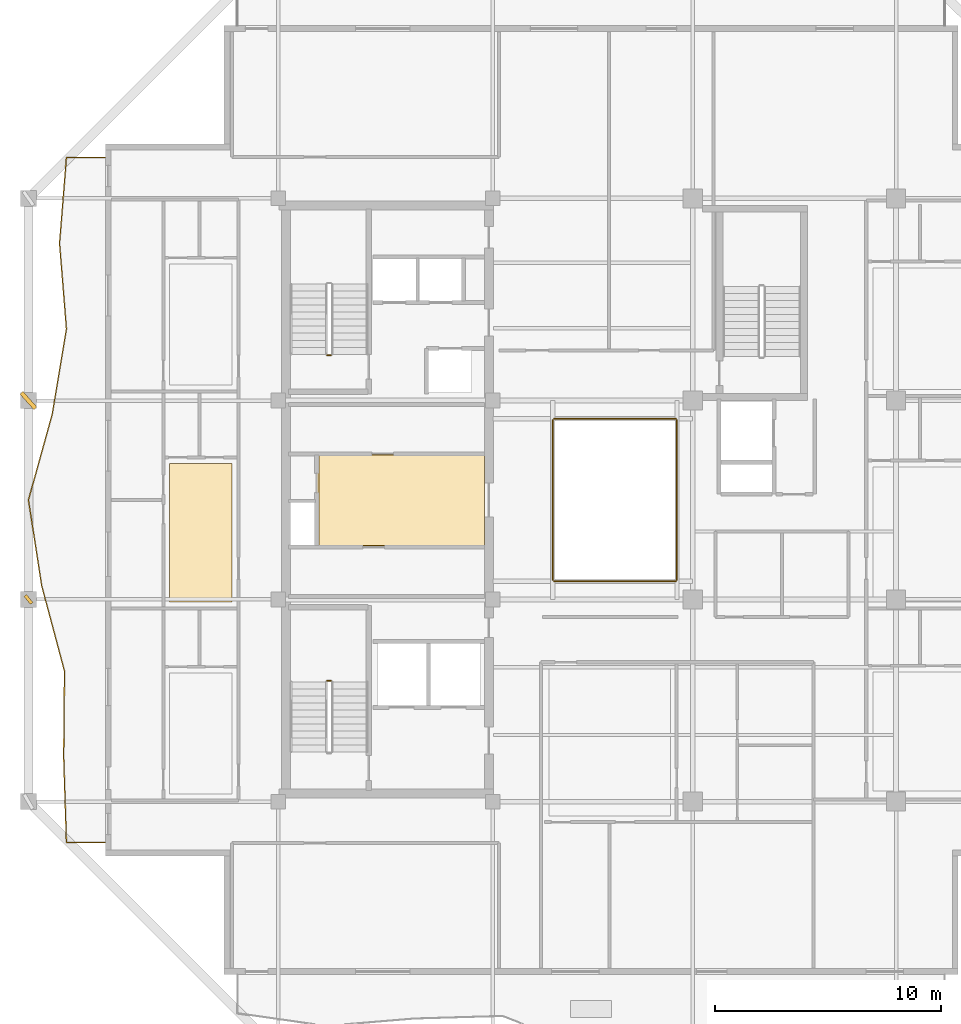
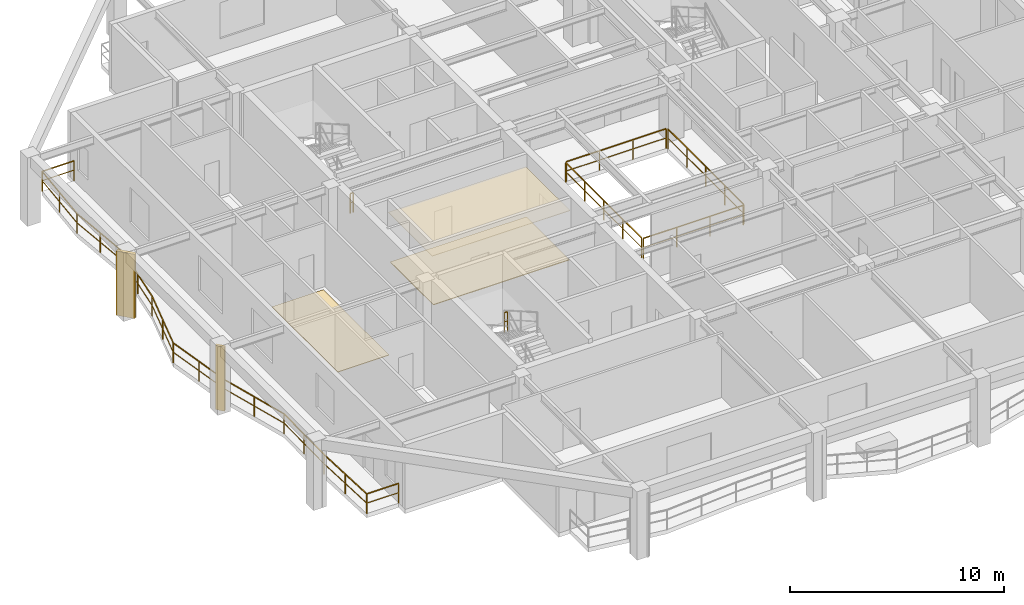
# One storey, part 9 of 12: 7 railings, 3 coverings, 2 shading devices.
"""IFC4 building model written with IfcOpenShell, lengths in metres."""

from ifc_helpers import new_model, si_unit, direction, frame, origin, origin_2d, place, context, subcontext, project, spatial, polyline, rectangle, outline, extrude, material, layer, layer_set, type_object, element, save


model = new_model("IFC4")

# Units and contexts
model_context = context("Model", 3, precision=1e-05, world=origin(), true_north=direction((0.0, 1.0)))
body_context = subcontext(model_context, "Body", "Model", "MODEL_VIEW")
ifc_project = project(units=[si_unit("LENGTHUNIT", "METRE"), si_unit("AREAUNIT", "SQUARE_METRE"), si_unit("VOLUMEUNIT", "CUBIC_METRE"), si_unit("PLANEANGLEUNIT", "RADIAN"), si_unit("MASSUNIT", "GRAM", prefix="KILO")], contexts=[model_context])

# Site, building, storey
site_placement = place(None, origin())
site = spatial("IfcSite", under=ifc_project, at=site_placement, CompositionType="ELEMENT")
building_placement = place(site_placement, origin())
building = spatial("IfcBuilding", under=site, at=building_placement, Name="Kundavana Baori Tower", CompositionType="ELEMENT")
storey_placement = place(building_placement, frame((0.0, 0.0, 233.60009765625)))
storey = spatial("IfcBuildingStorey", under=building, at=storey_placement, Name="L57", CompositionType="ELEMENT", Elevation=233.60009765625)

# Coverings
ifc_material_1 = material(Name="Honed Kota Stone and Terrazzo Flooring", Category="masonry")
ifc_layer_1 = layer(ifc_material_1, 0.0400390625, Name="COV-FLR-TERR-40")
ifc_layer_set_1 = layer_set([ifc_layer_1], Name="Honed Kota Stone and Terrazzo Flooring")
covering_type_1 = type_object("IfcCoveringType", Name="COV-FLR-TERR-40", PredefinedType="FLOORING", material=ifc_layer_set_1)
covering_1_placement = place(storey_placement, origin())
element("IfcCovering", 1, at=covering_1_placement, inside=storey, type_object=covering_type_1, Name="L57 Core Lift Lobby Kota Stone Flooring", PredefinedType="FLOORING", context=body_context, shape_type="SweptSolid", body=[
    extrude(outline(polyline([(17.25, 26.580078125), (24.580078125, 26.580078125), (24.580078125, 30.60009765625), (17.25, 30.60009765625), (17.25, 26.580078125)])), origin(), (0.0, 0.0, 1.0), 0.039794921875),
])
ifc_material_2 = material(Name="Perforated Acoustic Mineral Fibre Ceiling Board")
ifc_layer_2 = layer(ifc_material_2, 0.02490234375, Name="COV-INT-CEIL")
ifc_layer_set_2 = layer_set([ifc_layer_2], Name="Perforated Acoustic Mineral Fibre Ceiling Board")
covering_type_2 = type_object("IfcCoveringType", Name="COV-INT-CEIL", PredefinedType="CEILING", material=ifc_layer_set_2)
covering_2_placement = place(storey_placement, frame((0.0, 0.0, 2.849853515625)))
element("IfcCovering", 2, at=covering_2_placement, inside=storey, type_object=covering_type_2, Name="L57 Core Lift Lobby Acoustic Ceiling", PredefinedType="CEILING", context=body_context, shape_type="SweptSolid", body=[
    extrude(outline(polyline([(17.159912109375, 26.52001953125), (24.580078125, 26.52001953125), (24.580078125, 30.639892578125), (17.159912109375, 30.639892578125), (17.159912109375, 26.52001953125)])), origin(), (0.0, 0.0, 1.0), 0.025146484375),
])
ifc_material_3 = material(Name="Honed Kota Stone and Terrazzo Flooring", Category="masonry")
ifc_layer_3 = layer(ifc_material_3, 0.030029296875, Name="COV-INT-FLR")
ifc_layer_set_3 = layer_set([ifc_layer_3], Name="Honed Kota Stone and Terrazzo Flooring")
covering_type_3 = type_object("IfcCoveringType", Name="COV-INT-FLR", PredefinedType="FLOORING", material=ifc_layer_set_3)
covering_3_placement = place(storey_placement, origin())
element("IfcCovering", 3, at=covering_3_placement, inside=storey, type_object=covering_type_3, Name="L57 Room Finished Stone Flooring 2", PredefinedType="FLOORING", context=body_context, shape_type="SweptSolid", body=[
    extrude(outline(polyline([(10.64990234375, 24.080078125), (13.419921875, 24.080078125), (13.419921875, 30.2099609375), (10.64990234375, 30.2099609375), (10.64990234375, 24.080078125)])), origin(), (0.0, 0.0, 1.0), 0.02978515625),
])

# Railings
ifc_material_4 = material(Name="Architectural Patinated Bronze Metalwork")
railing_type_1 = type_object("IfcRailingType", Name="RL-BAL-1150", PredefinedType="BALUSTRADE", material=ifc_material_4)
railing_1_placement = place(storey_placement, frame((7.800048828125, 13.449951171875, 0.0)))
element("IfcRailing", 4, at=railing_1_placement, inside=storey, type_object=railing_type_1, Name="L57 Loggia Balcony Balustrade W", PredefinedType="BALUSTRADE", context=body_context, shape_type="SweptSolid", body=[
    extrude(rectangle(XDim=0.048095703125, YDim=0.048095703125, at=origin_2d()), frame((0.0, 0.0, 1.1259765625), z_axis=(-1.0, 0.0, 0.0), x_axis=(0.0, -1.0, 0.0)), (0.0, 0.0, 1.0), 1.719970703125),
    extrude(rectangle(XDim=0.03125, YDim=0.03125, at=origin_2d()), frame((0.0, 0.0, 0.597900390625), z_axis=(-1.0, 0.0, 0.0), x_axis=(0.0, -1.0, 0.0)), (0.0, 0.0, 1.0), 1.719970703125),
    extrude(rectangle(XDim=0.048095703125, YDim=0.048095703125, at=origin_2d()), frame((-1.719970703125, 0.0, 1.1259765625), z_axis=(-0.03246547565, 0.999472857506, 0.0), x_axis=(-0.999472857506, -0.03246547565, 0.0)), (0.0, 0.0, 1.0), 3.7900390625),
    extrude(rectangle(XDim=0.03125, YDim=0.03125, at=origin_2d()), frame((-1.719970703125, 0.0, 0.597900390625), z_axis=(-0.03246547565, 0.999472857506, 0.0), x_axis=(-0.999472857506, -0.03246547565, 0.0)), (0.0, 0.0, 1.0), 3.7900390625),
    extrude(rectangle(XDim=0.048095703125, YDim=0.048095703125, at=origin_2d()), frame((-1.843017578125, 3.7880859375, 1.1259765625), z_axis=(0.00973456549, 0.999952617995, 0.0), x_axis=(-0.999952617995, 0.00973456549, 0.0)), (0.0, 0.0, 1.0), 3.787109375),
    extrude(rectangle(XDim=0.03125, YDim=0.03125, at=origin_2d()), frame((-1.843017578125, 3.7880859375, 0.597900390625), z_axis=(0.00973456549, 0.999952617995, 0.0), x_axis=(-0.999952617995, 0.00973456549, 0.0)), (0.0, 0.0, 1.0), 3.787109375),
    extrude(rectangle(XDim=0.048095703125, YDim=0.048095703125, at=origin_2d()), frame((-1.80615234375, 7.574951171875, 1.1259765625), z_axis=(-0.257922377648, 0.966165641652, 0.0), x_axis=(-0.966165641652, -0.257922377648, 0.0)), (0.0, 0.0, 1.0), 3.919677734375),
    extrude(rectangle(XDim=0.03125, YDim=0.03125, at=origin_2d()), frame((-1.80615234375, 7.574951171875, 0.597900390625), z_axis=(-0.257922377648, 0.966165641652, 0.0), x_axis=(-0.966165641652, -0.257922377648, 0.0)), (0.0, 0.0, 1.0), 3.919677734375),
    extrude(rectangle(XDim=0.048095703125, YDim=0.048095703125, at=origin_2d()), frame((-2.817138671875, 11.362060546875, 1.1259765625), z_axis=(-0.152114624091, 0.988362859044, 0.0), x_axis=(-0.988362859044, -0.152114624091, 0.0)), (0.0, 0.0, 1.0), 3.832763671875),
    extrude(rectangle(XDim=0.03125, YDim=0.03125, at=origin_2d()), frame((-2.817138671875, 11.362060546875, 0.597900390625), z_axis=(-0.152114624091, 0.988362859044, 0.0), x_axis=(-0.988362859044, -0.152114624091, 0.0)), (0.0, 0.0, 1.0), 3.832763671875),
    extrude(rectangle(XDim=0.048095703125, YDim=0.048095703125, at=origin_2d()), frame((-3.400146484375, 15.150146484375, 1.1259765625), z_axis=(0.266679363274, 0.963785306592, 0.0), x_axis=(-0.963785306592, 0.266679363274, 0.0)), (0.0, 0.0, 1.0), 3.93017578125),
    extrude(rectangle(XDim=0.03125, YDim=0.03125, at=origin_2d()), frame((-3.400146484375, 15.150146484375, 0.597900390625), z_axis=(0.266679363274, 0.963785306592, 0.0), x_axis=(-0.963785306592, 0.266679363274, 0.0)), (0.0, 0.0, 1.0), 3.93017578125),
    extrude(rectangle(XDim=0.048095703125, YDim=0.048095703125, at=origin_2d()), frame((-2.35205078125, 18.93798828125, 1.1259765625), z_axis=(0.16437836371, 0.986397360876, 0.0), x_axis=(-0.986397360876, 0.16437836371, 0.0)), (0.0, 0.0, 1.0), 3.83935546875),
    extrude(rectangle(XDim=0.03125, YDim=0.03125, at=origin_2d()), frame((-2.35205078125, 18.93798828125, 0.597900390625), z_axis=(0.16437836371, 0.986397360876, 0.0), x_axis=(-0.986397360876, 0.16437836371, 0.0)), (0.0, 0.0, 1.0), 3.83935546875),
    extrude(rectangle(XDim=0.048095703125, YDim=0.048095703125, at=origin_2d()), frame((-1.720947265625, 22.72509765625, 1.1259765625), z_axis=(-0.080072154037, 0.996789070038, 0.0), x_axis=(-0.996789070038, -0.080072154037, 0.0)), (0.0, 0.0, 1.0), 3.799072265625),
    extrude(rectangle(XDim=0.03125, YDim=0.03125, at=origin_2d()), frame((-1.720947265625, 22.72509765625, 0.597900390625), z_axis=(-0.080072154037, 0.996789070038, 0.0), x_axis=(-0.996789070038, -0.080072154037, 0.0)), (0.0, 0.0, 1.0), 3.799072265625),
    extrude(rectangle(XDim=0.048095703125, YDim=0.048095703125, at=origin_2d()), frame((-2.025146484375, 26.511962890625, 1.1259765625), z_axis=(0.080301833049, 0.996770593271, 0.0), x_axis=(-0.996770593271, 0.080301833049, 0.0)), (0.0, 0.0, 1.0), 3.80029296875),
    extrude(rectangle(XDim=0.03125, YDim=0.03125, at=origin_2d()), frame((-2.025146484375, 26.511962890625, 0.597900390625), z_axis=(0.080301833049, 0.996770593271, 0.0), x_axis=(-0.996770593271, 0.080301833049, 0.0)), (0.0, 0.0, 1.0), 3.80029296875),
    extrude(rectangle(XDim=0.048095703125, YDim=0.048095703125, at=origin_2d()), frame((-1.719970703125, 30.300048828125, 1.1259765625), z_axis=(1.0, 0.0, 0.0), x_axis=(0.0, 1.0, 0.0)), (0.0, 0.0, 1.0), 1.719970703125),
    extrude(rectangle(XDim=0.03125, YDim=0.03125, at=origin_2d()), frame((-1.719970703125, 30.300048828125, 0.597900390625), z_axis=(1.0, 0.0, 0.0), x_axis=(0.0, 1.0, 0.0)), (0.0, 0.0, 1.0), 1.719970703125),
    extrude(rectangle(XDim=0.0419921875, YDim=0.0419921875, at=origin_2d()), origin(), (0.0, 0.0, 1.0), 1.101806640625),
    extrude(rectangle(XDim=0.0419921875, YDim=0.0419921875, at=origin_2d()), frame((-1.719970703125, 0.0, 0.0)), (0.0, 0.0, 1.0), 1.101806640625),
    extrude(rectangle(XDim=0.0419921875, YDim=0.0419921875, at=origin_2d()), frame((-1.781494140625, 1.89404296875, 0.0)), (0.0, 0.0, 1.0), 1.101806640625),
    extrude(rectangle(XDim=0.0419921875, YDim=0.0419921875, at=origin_2d()), frame((-1.843017578125, 3.7880859375, 0.0)), (0.0, 0.0, 1.0), 1.101806640625),
    extrude(rectangle(XDim=0.0419921875, YDim=0.0419921875, at=origin_2d()), frame((-1.82470703125, 5.681640625, 0.0)), (0.0, 0.0, 1.0), 1.101806640625),
    extrude(rectangle(XDim=0.0419921875, YDim=0.0419921875, at=origin_2d()), frame((-1.80615234375, 7.574951171875, 0.0)), (0.0, 0.0, 1.0), 1.101806640625),
    extrude(rectangle(XDim=0.0419921875, YDim=0.0419921875, at=origin_2d()), frame((-2.3115234375, 9.468505859375, 0.0)), (0.0, 0.0, 1.0), 1.101806640625),
    extrude(rectangle(XDim=0.0419921875, YDim=0.0419921875, at=origin_2d()), frame((-2.817138671875, 11.362060546875, 0.0)), (0.0, 0.0, 1.0), 1.101806640625),
    extrude(rectangle(XDim=0.0419921875, YDim=0.0419921875, at=origin_2d()), frame((-3.108642578125, 13.256103515625, 0.0)), (0.0, 0.0, 1.0), 1.101806640625),
    extrude(rectangle(XDim=0.0419921875, YDim=0.0419921875, at=origin_2d()), frame((-3.400146484375, 15.150146484375, 0.0)), (0.0, 0.0, 1.0), 1.101806640625),
    extrude(rectangle(XDim=0.0419921875, YDim=0.0419921875, at=origin_2d()), frame((-2.8759765625, 17.0439453125, 0.0)), (0.0, 0.0, 1.0), 1.101806640625),
    extrude(rectangle(XDim=0.0419921875, YDim=0.0419921875, at=origin_2d()), frame((-2.35205078125, 18.93798828125, 0.0)), (0.0, 0.0, 1.0), 1.101806640625),
    extrude(rectangle(XDim=0.0419921875, YDim=0.0419921875, at=origin_2d()), frame((-2.03662109375, 20.83154296875, 0.0)), (0.0, 0.0, 1.0), 1.101806640625),
    extrude(rectangle(XDim=0.0419921875, YDim=0.0419921875, at=origin_2d()), frame((-1.720947265625, 22.72509765625, 0.0)), (0.0, 0.0, 1.0), 1.101806640625),
    extrude(rectangle(XDim=0.0419921875, YDim=0.0419921875, at=origin_2d()), frame((-1.873046875, 24.61865234375, 0.0)), (0.0, 0.0, 1.0), 1.101806640625),
    extrude(rectangle(XDim=0.0419921875, YDim=0.0419921875, at=origin_2d()), frame((-2.025146484375, 26.511962890625, 0.0)), (0.0, 0.0, 1.0), 1.101806640625),
    extrude(rectangle(XDim=0.0419921875, YDim=0.0419921875, at=origin_2d()), frame((-1.87255859375, 28.406005859375, 0.0)), (0.0, 0.0, 1.0), 1.101806640625),
    extrude(rectangle(XDim=0.0419921875, YDim=0.0419921875, at=origin_2d()), frame((-1.719970703125, 30.300048828125, 0.0)), (0.0, 0.0, 1.0), 1.101806640625),
    extrude(rectangle(XDim=0.0419921875, YDim=0.0419921875, at=origin_2d()), frame((0.0, 30.300048828125, 0.0)), (0.0, 0.0, 1.0), 1.101806640625),
])
ifc_material_5 = material(Name="Architectural Patinated Bronze Metalwork")
railing_type_2 = type_object("IfcRailingType", Name="RL-GRD-1150", PredefinedType="GUARDRAIL", material=ifc_material_5)
for number, where, name in (
    (5, (17.7900390625, 20.60009765625, 1.949951171875), "L57 ST1 stair guard 2"),
    (6, (17.7900390625, 35.0, 0.0), "L57 ST2 stair guard 4"),
):
    element("IfcRailing", number, at=place(storey_placement, frame(where)), inside=storey, type_object=railing_type_2, Name=name, PredefinedType="GUARDRAIL", context=body_context, shape_type="SweptSolid", body=[
        extrude(rectangle(XDim=0.048095703125, YDim=0.048095703125, at=origin_2d()), frame((0.0, 0.0, 1.1259765625), z_axis=(-1.0, 0.0, 0.0), x_axis=(0.0, -1.0, 0.0)), (0.0, 0.0, 1.0), 0.16015625),
        extrude(rectangle(XDim=0.03125, YDim=0.03125, at=origin_2d()), frame((0.0, 0.0, 0.597900390625), z_axis=(-1.0, 0.0, 0.0), x_axis=(0.0, -1.0, 0.0)), (0.0, 0.0, 1.0), 0.16015625),
        extrude(rectangle(XDim=0.0419921875, YDim=0.0419921875, at=origin_2d()), origin(), (0.0, 0.0, 1.0), 1.101806640625),
        extrude(rectangle(XDim=0.0419921875, YDim=0.0419921875, at=origin_2d()), frame((-0.16015625, 0.0, 0.0)), (0.0, 0.0, 1.0), 1.101806640625),
    ])
railing_2_placement = place(storey_placement, frame((27.659912109375, 25.0, 0.0)))
element("IfcRailing", 7, at=railing_2_placement, inside=storey, type_object=railing_type_2, Name="L57 Atrium Void Perimeter Guardrail S", PredefinedType="GUARDRAIL", context=body_context, shape_type="SweptSolid", body=[
    extrude(rectangle(XDim=0.048095703125, YDim=0.048095703125, at=origin_2d()), frame((0.0, 0.0, 1.1259765625), z_axis=(1.0, 0.0, 0.0), x_axis=(0.0, 1.0, 0.0)), (0.0, 0.0, 1.0), 5.380126953125),
    extrude(rectangle(XDim=0.03125, YDim=0.03125, at=origin_2d()), frame((0.0, 0.0, 0.597900390625), z_axis=(1.0, 0.0, 0.0), x_axis=(0.0, 1.0, 0.0)), (0.0, 0.0, 1.0), 5.380126953125),
    extrude(rectangle(XDim=0.0419921875, YDim=0.0419921875, at=origin_2d()), origin(), (0.0, 0.0, 1.0), 1.101806640625),
    extrude(rectangle(XDim=0.0419921875, YDim=0.0419921875, at=origin_2d()), frame((1.79345703125, 0.0, 0.0)), (0.0, 0.0, 1.0), 1.101806640625),
    extrude(rectangle(XDim=0.0419921875, YDim=0.0419921875, at=origin_2d()), frame((3.586669921875, 0.0, 0.0)), (0.0, 0.0, 1.0), 1.101806640625),
    extrude(rectangle(XDim=0.0419921875, YDim=0.0419921875, at=origin_2d()), frame((5.380126953125, 0.0, 0.0)), (0.0, 0.0, 1.0), 1.101806640625),
])
railing_3_placement = place(storey_placement, frame((33.10009765625, 25.06005859375, 0.0)))
element("IfcRailing", 8, at=railing_3_placement, inside=storey, type_object=railing_type_2, Name="L57 Atrium Void Perimeter Guardrail E", PredefinedType="GUARDRAIL", context=body_context, shape_type="SweptSolid", body=[
    extrude(rectangle(XDim=0.048095703125, YDim=0.048095703125, at=origin_2d()), frame((0.0, 0.0, 1.1259765625), z_axis=(0.0, 1.0, 0.0), x_axis=(-1.0, 0.0, 0.0)), (0.0, 0.0, 1.0), 7.079833984375),
    extrude(rectangle(XDim=0.03125, YDim=0.03125, at=origin_2d()), frame((0.0, 0.0, 0.597900390625), z_axis=(0.0, 1.0, 0.0), x_axis=(-1.0, 0.0, 0.0)), (0.0, 0.0, 1.0), 7.079833984375),
    extrude(rectangle(XDim=0.0419921875, YDim=0.0419921875, at=origin_2d()), origin(), (0.0, 0.0, 1.0), 1.101806640625),
    extrude(rectangle(XDim=0.0419921875, YDim=0.0419921875, at=origin_2d()), frame((0.0, 1.77001953125, 0.0)), (0.0, 0.0, 1.0), 1.101806640625),
    extrude(rectangle(XDim=0.0419921875, YDim=0.0419921875, at=origin_2d()), frame((0.0, 3.5400390625, 0.0)), (0.0, 0.0, 1.0), 1.101806640625),
    extrude(rectangle(XDim=0.0419921875, YDim=0.0419921875, at=origin_2d()), frame((0.0, 5.309814453125, 0.0)), (0.0, 0.0, 1.0), 1.101806640625),
    extrude(rectangle(XDim=0.0419921875, YDim=0.0419921875, at=origin_2d()), frame((0.0, 7.079833984375, 0.0)), (0.0, 0.0, 1.0), 1.101806640625),
])
railing_4_placement = place(storey_placement, frame((33.0400390625, 32.199951171875, 0.0)))
element("IfcRailing", 9, at=railing_4_placement, inside=storey, type_object=railing_type_2, Name="L57 Atrium Void Perimeter Guardrail N", PredefinedType="GUARDRAIL", context=body_context, shape_type="SweptSolid", body=[
    extrude(rectangle(XDim=0.048095703125, YDim=0.048095703125, at=origin_2d()), frame((0.0, 0.0, 1.1259765625), z_axis=(-1.0, 0.0, 0.0), x_axis=(0.0, -1.0, 0.0)), (0.0, 0.0, 1.0), 5.380126953125),
    extrude(rectangle(XDim=0.03125, YDim=0.03125, at=origin_2d()), frame((0.0, 0.0, 0.597900390625), z_axis=(-1.0, 0.0, 0.0), x_axis=(0.0, -1.0, 0.0)), (0.0, 0.0, 1.0), 5.380126953125),
    extrude(rectangle(XDim=0.0419921875, YDim=0.0419921875, at=origin_2d()), origin(), (0.0, 0.0, 1.0), 1.101806640625),
    extrude(rectangle(XDim=0.0419921875, YDim=0.0419921875, at=origin_2d()), frame((-1.79345703125, 0.0, 0.0)), (0.0, 0.0, 1.0), 1.101806640625),
    extrude(rectangle(XDim=0.0419921875, YDim=0.0419921875, at=origin_2d()), frame((-3.586669921875, 0.0, 0.0)), (0.0, 0.0, 1.0), 1.101806640625),
    extrude(rectangle(XDim=0.0419921875, YDim=0.0419921875, at=origin_2d()), frame((-5.380126953125, 0.0, 0.0)), (0.0, 0.0, 1.0), 1.101806640625),
])
railing_5_placement = place(storey_placement, frame((27.60009765625, 32.139892578125, 0.0)))
element("IfcRailing", 10, at=railing_5_placement, inside=storey, type_object=railing_type_2, Name="L57 Atrium Void Perimeter Guardrail W", PredefinedType="GUARDRAIL", context=body_context, shape_type="SweptSolid", body=[
    extrude(rectangle(XDim=0.048095703125, YDim=0.048095703125, at=origin_2d()), frame((0.0, 0.0, 1.1259765625), z_axis=(0.0, -1.0, 0.0), x_axis=(1.0, 0.0, 0.0)), (0.0, 0.0, 1.0), 7.079833984375),
    extrude(rectangle(XDim=0.03125, YDim=0.03125, at=origin_2d()), frame((0.0, 0.0, 0.597900390625), z_axis=(0.0, -1.0, 0.0), x_axis=(1.0, 0.0, 0.0)), (0.0, 0.0, 1.0), 7.079833984375),
    extrude(rectangle(XDim=0.0419921875, YDim=0.0419921875, at=origin_2d()), origin(), (0.0, 0.0, 1.0), 1.101806640625),
    extrude(rectangle(XDim=0.0419921875, YDim=0.0419921875, at=origin_2d()), frame((0.0, -1.77001953125, 0.0)), (0.0, 0.0, 1.0), 1.101806640625),
    extrude(rectangle(XDim=0.0419921875, YDim=0.0419921875, at=origin_2d()), frame((0.0, -3.5400390625, 0.0)), (0.0, 0.0, 1.0), 1.101806640625),
    extrude(rectangle(XDim=0.0419921875, YDim=0.0419921875, at=origin_2d()), frame((0.0, -5.309814453125, 0.0)), (0.0, 0.0, 1.0), 1.101806640625),
    extrude(rectangle(XDim=0.0419921875, YDim=0.0419921875, at=origin_2d()), frame((0.0, -7.079833984375, 0.0)), (0.0, 0.0, 1.0), 1.101806640625),
])

# Shading devices
ifc_material_6 = material(Name="Red-Buff Dholpur Sandstone Cladding on Concrete C40/50", Category="masonry")
shading_device_type_1 = type_object("IfcShadingDeviceType", Name="SHD-FIN-920", PredefinedType="JALOUSIE", material=ifc_material_6)
shading_device_1_placement = place(storey_placement, frame((4.39990234375, 33.0, 0.0), z_axis=(0.0, 0.0, 1.0), x_axis=(0.746638182285, 0.665230354654, 0.0)))
element("IfcShadingDevice", 11, at=shading_device_1_placement, inside=storey, type_object=shading_device_type_1, Name="L57 Sweeping Dholpur Sandstone Facade Fin 7", PredefinedType="JALOUSIE", context=body_context, shape_type="SweptSolid", body=[
    extrude(rectangle(XDim=0.179931640625, YDim=0.919921875, at=origin_2d()), origin(), (0.0, 0.0, 1.0), 3.659912109375),
])
ifc_material_7 = material(Name="Architectural Patinated Bronze Metalwork")
shading_device_type_2 = type_object("IfcShadingDeviceType", Name="SHD-LOUV-450", PredefinedType="SHUTTER", material=ifc_material_7)
shading_device_2_placement = place(storey_placement, frame((4.39990234375, 24.199951171875, 0.0), z_axis=(0.0, 0.0, 1.0), x_axis=(0.773950743756, 0.633245802386, 0.0)))
element("IfcShadingDevice", 12, at=shading_device_2_placement, inside=storey, type_object=shading_device_type_2, Name="L57 Sweeping Dholpur Sandstone Facade Fin 6", PredefinedType="SHUTTER", context=body_context, shape_type="SweptSolid", body=[
    extrude(rectangle(XDim=0.139892578125, YDim=0.449951171875, at=origin_2d()), origin(), (0.0, 0.0, 1.0), 3.659912109375),
])

save(model, "model.ifc")
